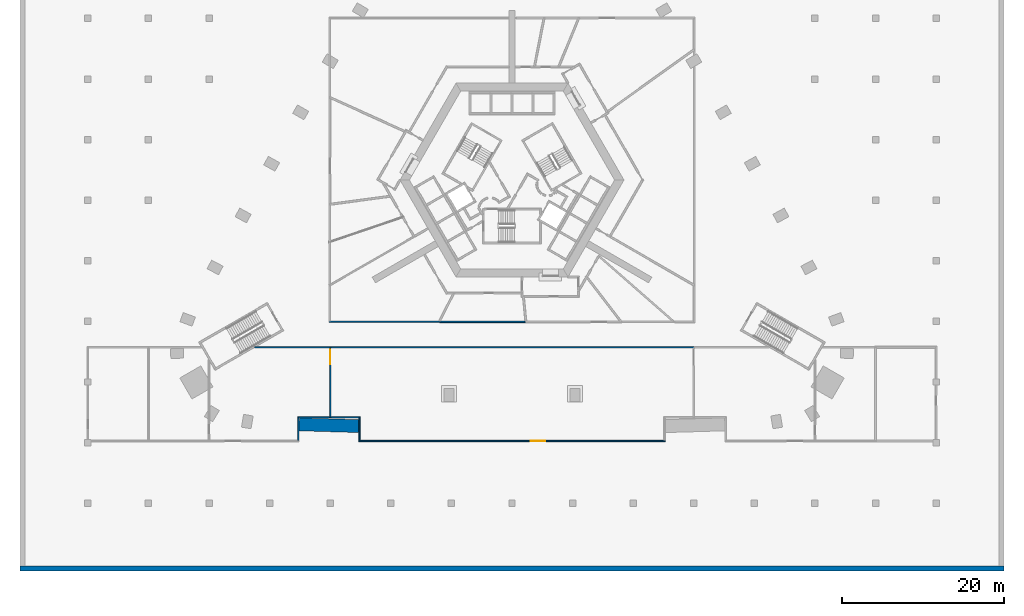
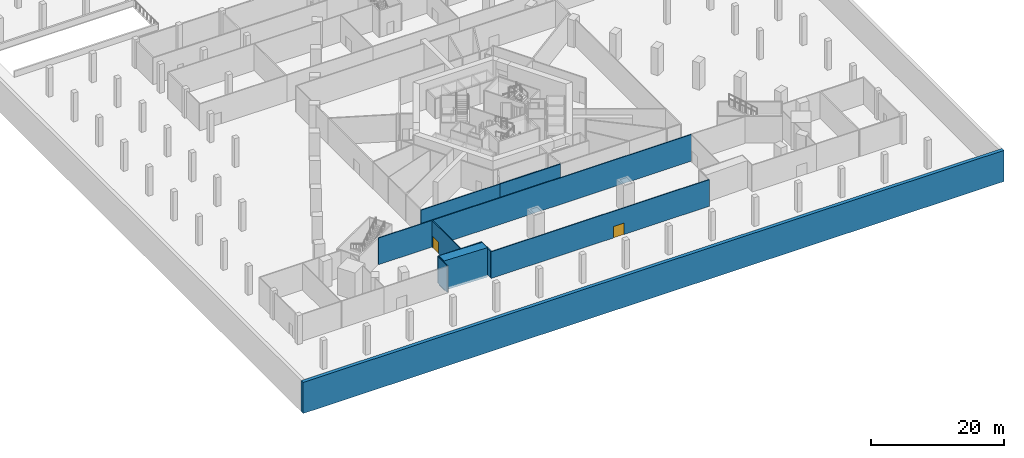
# One storey, part 4 of 20: 12 walls, 2 doors, 2 openings.
"""IFC4 building model written with IfcOpenShell, lengths in metres."""

from ifc_helpers import new_model, si_unit, direction, frame, frame_2d, origin, place, context, subcontext, project, spatial, polyline, rectangle, outline, extrude, material, layer, layer_set, type_object, element, fill, save


model = new_model("IFC4")

# Units and contexts
model_context = context("Model", 3, precision=1e-05, world=origin(), true_north=direction((0.0, 1.0)))
body_context = subcontext(model_context, "Body", "Model", "MODEL_VIEW")
ifc_project = project(units=[si_unit("LENGTHUNIT", "METRE"), si_unit("AREAUNIT", "SQUARE_METRE"), si_unit("VOLUMEUNIT", "CUBIC_METRE"), si_unit("PLANEANGLEUNIT", "RADIAN"), si_unit("MASSUNIT", "GRAM", prefix="KILO")], contexts=[model_context])

# Site, building, storey
site_placement = place(None, origin())
site = spatial("IfcSite", under=ifc_project, at=site_placement, CompositionType="ELEMENT")
building_placement = place(site_placement, origin())
building = spatial("IfcBuilding", under=site, at=building_placement, Name="Entoto Arch Interchange Tower", CompositionType="ELEMENT")
storey_placement = place(building_placement, frame((0.0, 0.0, -5.5)))
storey = spatial("IfcBuildingStorey", under=building, at=storey_placement, Name="B1", CompositionType="ELEMENT", Elevation=-5.5)

# Walls
ifc_material_1 = material(Name="Concrete C60/75", Category="concrete")
ifc_layer_1 = layer(ifc_material_1, 1.60009765625)
ifc_layer_set_1 = layer_set([ifc_layer_1], Name="Concrete C60/75")
wall_type_1 = type_object("IfcWallType", Name="Arch leg wall 1600 C60/75", PredefinedType="SHEAR", material=ifc_layer_set_1)
wall_1_placement = place(storey_placement, frame((0.0, 0.0, -0.419921875)))
element("IfcWall", 1, at=wall_1_placement, inside=storey, type_object=wall_type_1, Name="Arch leg W B1", PredefinedType="SHEAR", context=body_context, shape_type="SweptSolid", body=[
    extrude(outline(polyline([(-26.376953125, -28.5400390625), (-19.0, -28.761962890625), (-18.97607421875, -27.162109375), (-26.321044921875, -26.94091796875), (-26.376953125, -28.5400390625)])), origin(), (0.0, 0.0, 1.0), 5.419921875),
])
ifc_material_2 = material(Name="Concrete C40/50", Category="concrete")
ifc_layer_2 = layer(ifc_material_2, 0.60009765625)
ifc_layer_set_2 = layer_set([ifc_layer_2], Name="Concrete C40/50")
wall_type_2 = type_object("IfcWallType", Name="Basement retaining wall 600 C40/50", PredefinedType="SOLIDWALL", material=ifc_layer_set_2)
wall_2_placement = place(storey_placement, frame((0.0, 0.0, -0.419921875)))
element("IfcWall", 2, at=wall_2_placement, inside=storey, type_object=wall_type_2, Name="Retaining wall B1", PredefinedType="SOLIDWALL", context=body_context, shape_type="SweptSolid", body=[
    extrude(outline(polyline([(60.89990234375, -45.89990234375), (60.89990234375, -45.300048828125), (-60.89990234375, -45.300048828125), (-60.89990234375, -45.89990234375), (60.89990234375, -45.89990234375)])), origin(), (0.0, 0.0, 1.0), 5.719970703125),
])
ifc_material_3 = material(Name="Gypsum board partition on steel studs", Category="steel")
ifc_layer_3 = layer(ifc_material_3, 0.14990234375)
ifc_layer_set_3 = layer_set([ifc_layer_3], Name="Gypsum board partition on steel studs")
wall_type_3 = type_object("IfcWallType", Name="PARTITION 150", PredefinedType="PARTITIONING", material=ifc_layer_set_3)
wall_3_placement = place(storey_placement, frame((-8.919921875, -15.050048828125, 0.0), z_axis=(0.0, 0.0, 1.0), x_axis=(-1.0, 0.0, 0.0)))
element("IfcWall", 3, at=wall_3_placement, inside=storey, type_object=wall_type_3, Name="wall:B1:p016", PredefinedType="PARTITIONING", context=body_context, shape_type="SweptSolid", body=[
    extrude(rectangle(XDim=13.705078125, YDim=0.14990234375, at=frame_2d((6.8525390625, 0.0))), origin(), (0.0, 0.0, 1.0), 4.89990234375),
])
wall_4_placement = place(storey_placement, frame((-31.85302734375, -18.199951171875, 0.0), z_axis=(0.0, 0.0, 1.0), x_axis=(1.0, 0.0, 0.0)))
element("IfcWall", 4, at=wall_4_placement, inside=storey, type_object=wall_type_3, Name="wall:B1:p058", PredefinedType="PARTITIONING", context=body_context, shape_type="SweptSolid", body=[
    extrude(rectangle(XDim=9.427978515625, YDim=0.14990234375, at=frame_2d((4.7138671875, 0.0))), origin(), (0.0, 0.0, 1.0), 4.89990234375),
])
wall_5_placement = place(storey_placement, frame((-22.574951171875, -26.85107421875, 0.0), z_axis=(0.0, 0.0, 1.0), x_axis=(-1.0, 0.0, 0.0)))
element("IfcWall", 5, at=wall_5_placement, inside=storey, type_object=wall_type_3, Name="wall:B1:p059", PredefinedType="PARTITIONING", context=body_context, shape_type="SweptSolid", body=[
    extrude(rectangle(XDim=3.967041015625, YDim=0.14990234375, at=frame_2d((1.9833984375, 0.0))), origin(), (0.0, 0.0, 1.0), 4.89990234375),
])
wall_6_placement = place(storey_placement, frame((-26.467041015625, -26.926025390625, 0.0), z_axis=(0.0, 0.0, 1.0), x_axis=(0.0, -1.0, 0.0)))
element("IfcWall", 6, at=wall_6_placement, inside=storey, type_object=wall_type_3, Name="wall:B1:p060", PredefinedType="PARTITIONING", context=body_context, shape_type="SweptSolid", body=[
    extrude(rectangle(XDim=2.799072265625, YDim=0.14990234375, at=frame_2d((1.3994140625, 0.0))), origin(), (0.0, 0.0, 1.0), 4.89990234375),
])

# Wall, opening, door
wall_7_placement = place(storey_placement, frame((18.9609375, -29.800048828125, 0.0), z_axis=(0.0, 0.0, 1.0), x_axis=(-1.0, 0.0, 0.0)))
wall_7 = element("IfcWall", 7, at=wall_7_placement, inside=storey, type_object=wall_type_3, Name="wall:B1:p064", PredefinedType="PARTITIONING", context=body_context, shape_type="SweptSolid", body=[
    extrude(rectangle(XDim=37.921875, YDim=0.14990234375, at=frame_2d((18.9609375, 0.0))), origin(), (0.0, 0.0, 1.0), 4.89990234375),
])
opening_1_placement = place(wall_7_placement, frame((14.842041015625, 0.0, 0.0)))
opening_1 = element("IfcOpeningElement", 8, at=opening_1_placement, cuts=wall_7, Name="Opening B1-D23", PredefinedType="OPENING", context=body_context, shape_type="SweptSolid", body=[
    extrude(rectangle(XDim=1.800048828125, YDim=2.10009765625, at=frame_2d((0.89990234375, 1.050048828125))), frame((0.0, 0.0849609375, 0.0), z_axis=(0.0, -1.0, 0.0), x_axis=(1.0, 0.0, 0.0)), (0.0, 0.0, 1.0), 0.169921875),
])
ifc_material_4 = material(Name="Timber door leaf in Steel S235 frame", Category="steel")
door_type = type_object("IfcDoorType", Name="DOOR DD-18 1800x2100", OperationType="DOUBLE_DOOR_SINGLE_SWING", PredefinedType="DOOR", material=ifc_material_4)
door_1_placement = place(opening_1_placement, origin())
door_1 = element("IfcDoor", 9, at=door_1_placement, inside=storey, type_object=door_type, Name="door:B1:23", OperationType="DOUBLE_DOOR_SINGLE_SWING", OverallHeight=2.10009765625, OverallWidth=1.800048828125, PredefinedType="DOOR", context=body_context, shape_type="SweptSolid", body=[
    extrude(rectangle(XDim=1.800048828125, YDim=2.10009765625, at=frame_2d((0.89990234375, 1.050048828125))), frame((0.0, 0.02490234375, 0.0), z_axis=(0.0, -1.0, 0.0), x_axis=(1.0, 0.0, 0.0)), (0.0, 0.0, 1.0), 0.050048828125),
])
fill(opening_1, door_1)

# Walls
wall_8_placement = place(storey_placement, frame((-18.885986328125, -29.72509765625, 0.0), z_axis=(0.0, 0.0, 1.0), x_axis=(0.0, 1.0, 0.0)))
element("IfcWall", 10, at=wall_8_placement, inside=storey, type_object=wall_type_3, Name="wall:B1:p065", PredefinedType="PARTITIONING", context=body_context, shape_type="SweptSolid", body=[
    extrude(rectangle(XDim=2.799072265625, YDim=0.14990234375, at=frame_2d((1.3994140625, 0.0))), origin(), (0.0, 0.0, 1.0), 4.89990234375),
])
wall_9_placement = place(storey_placement, frame((-18.81103515625, -26.85107421875, 0.0), z_axis=(0.0, 0.0, 1.0), x_axis=(-1.0, 0.0, 0.0)))
element("IfcWall", 11, at=wall_9_placement, inside=storey, type_object=wall_type_3, Name="wall:B1:p066", PredefinedType="PARTITIONING", context=body_context, shape_type="SweptSolid", body=[
    extrude(rectangle(XDim=3.614013671875, YDim=0.14990234375, at=frame_2d((1.80712890625, 0.0))), origin(), (0.0, 0.0, 1.0), 4.89990234375),
])
wall_10_placement = place(storey_placement, frame((-22.425048828125, -18.199951171875, 0.0), z_axis=(0.0, 0.0, 1.0), x_axis=(1.0, 0.0, 0.0)))
element("IfcWall", 12, at=wall_10_placement, inside=storey, type_object=wall_type_3, Name="wall:B1:p067", PredefinedType="PARTITIONING", context=body_context, shape_type="SweptSolid", body=[
    extrude(rectangle(XDim=45.0, YDim=0.14990234375, at=frame_2d((22.5, 0.0))), origin(), (0.0, 0.0, 1.0), 4.89990234375),
])

# Wall, opening, door
wall_11_placement = place(storey_placement, frame((-22.5, -18.27490234375, 0.0), z_axis=(0.0, 0.0, 1.0), x_axis=(0.0, -1.0, 0.0)))
wall_11 = element("IfcWall", 13, at=wall_11_placement, inside=storey, type_object=wall_type_3, Name="wall:B1:p119", PredefinedType="PARTITIONING", context=body_context, shape_type="SweptSolid", body=[
    extrude(rectangle(XDim=8.651123046875, YDim=0.14990234375, at=frame_2d((4.32568359375, 0.0))), origin(), (0.0, 0.0, 1.0), 4.89990234375),
])
opening_2_placement = place(wall_11_placement, frame((0.2548828125, 0.0, 0.0)))
opening_2 = element("IfcOpeningElement", 14, at=opening_2_placement, cuts=wall_11, Name="Opening B1-D27", PredefinedType="OPENING", context=body_context, shape_type="SweptSolid", body=[
    extrude(rectangle(XDim=1.800048828125, YDim=2.10009765625, at=frame_2d((0.89990234375, 1.050048828125))), frame((0.0, 0.0849609375, 0.0), z_axis=(0.0, -1.0, 0.0), x_axis=(1.0, 0.0, 0.0)), (0.0, 0.0, 1.0), 0.169921875),
])
door_2_placement = place(opening_2_placement, origin())
door_2 = element("IfcDoor", 15, at=door_2_placement, inside=storey, type_object=door_type, Name="door:B1:27", OperationType="DOUBLE_DOOR_SINGLE_SWING", OverallHeight=2.10009765625, OverallWidth=1.800048828125, PredefinedType="DOOR", context=body_context, shape_type="SweptSolid", body=[
    extrude(rectangle(XDim=1.800048828125, YDim=2.10009765625, at=frame_2d((0.89990234375, 1.050048828125))), frame((0.0, 0.02490234375, 0.0), z_axis=(0.0, -1.0, 0.0), x_axis=(1.0, 0.0, 0.0)), (0.0, 0.0, 1.0), 0.050048828125),
])
fill(opening_2, door_2)

# Wall
ifc_layer_4 = layer(ifc_material_3, 0.199951171875)
ifc_layer_set_4 = layer_set([ifc_layer_4], Name="Gypsum board partition on steel studs")
wall_type_4 = type_object("IfcWallType", Name="PARTITION 200", PredefinedType="PARTITIONING", material=ifc_layer_set_4)
wall_12_placement = place(storey_placement, frame((1.618896484375, -15.050048828125, 0.0), z_axis=(0.0, 0.0, 1.0), x_axis=(-1.0, 0.0, 0.0)))
element("IfcWall", 16, at=wall_12_placement, inside=storey, type_object=wall_type_4, Name="wall:B1:p020", PredefinedType="PARTITIONING", context=body_context, shape_type="SweptSolid", body=[
    extrude(rectangle(XDim=10.538818359375, YDim=0.199951171875, at=frame_2d((5.26953125, 0.0))), origin(), (0.0, 0.0, 1.0), 4.89990234375),
])

save(model, "model.ifc")
